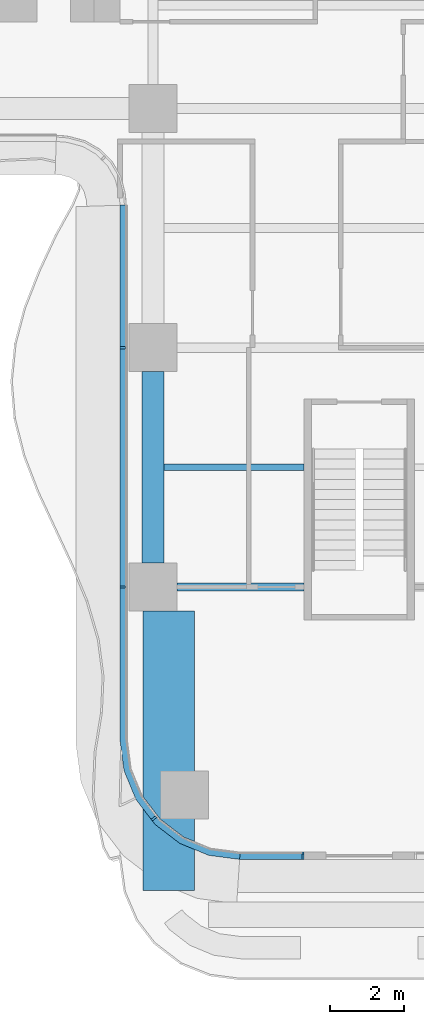
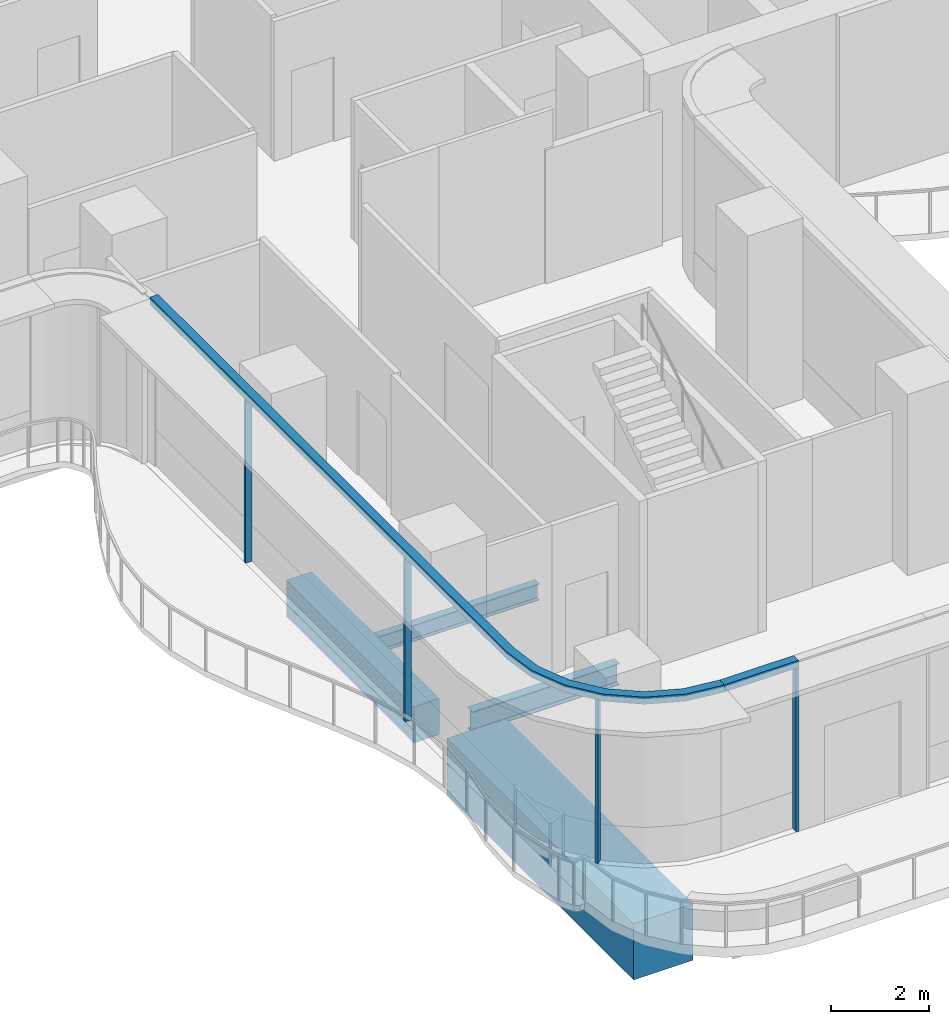
# One storey, part 2 of 22: 6 members, 4 beams, 2 elements without a shape of their own.
"""IFC4 building model written with IfcOpenShell, lengths in metres."""

from ifc_helpers import new_model, si_unit, direction, frame, origin, origin_2d, place, context, subcontext, project, spatial, polyline, rectangle, i_section, outline, extrude, source, transform, mapped, material, layer, layer_set, material_profile, profile_set, type_object, element, aggregate, save


model = new_model("IFC4")

# Units and contexts
model_context = context("Model", 3, precision=1e-05, world=origin(), true_north=direction((0.0, 1.0)))
body_context = subcontext(model_context, "Body", "Model", "MODEL_VIEW")
ifc_project = project(units=[si_unit("LENGTHUNIT", "METRE"), si_unit("AREAUNIT", "SQUARE_METRE"), si_unit("VOLUMEUNIT", "CUBIC_METRE"), si_unit("PLANEANGLEUNIT", "RADIAN"), si_unit("MASSUNIT", "GRAM", prefix="KILO")], contexts=[model_context])

# Site, building, storey
site_placement = place(None, origin())
site = spatial("IfcSite", under=ifc_project, at=site_placement, CompositionType="ELEMENT")
building_placement = place(site_placement, origin())
building = spatial("IfcBuilding", under=site, at=building_placement, Name="Trellis Farm Tower", CompositionType="ELEMENT")
storey_placement = place(building_placement, frame((0.0, 0.0, 124.5)))
storey = spatial("IfcBuildingStorey", under=building, at=storey_placement, Name="L26", CompositionType="ELEMENT", Elevation=124.5)

# Curtain wall, member
ifc_material_1 = material(Name="Aluminium and glass curtain wall", Category="aluminium")
ifc_layer_1 = layer(ifc_material_1, 0.18994140625)
ifc_layer_set_1 = layer_set([ifc_layer_1], Name="RIBBON CURTAIN WALL CW1")
curtain_wall_type = type_object("IfcCurtainWallType", Name="RIBBON CURTAIN WALL CW1", PredefinedType="NOTDEFINED", material=ifc_layer_set_1)
placement_1 = place(storey_placement, origin())
curtain_wall_1 = element("IfcCurtainWall", 1, at=placement_1, inside=storey, type_object=curtain_wall_type, Name="CW1 003", PredefinedType="NOTDEFINED")
ifc_material_2 = material(Name="Aluminium extrusion 6063-T6", Category="aluminium")
ifc_layer_2 = layer(ifc_material_2, 0.199951171875)
ifc_layer_set_2 = layer_set([ifc_layer_2], Name="Aluminium extrusion 6063-T6")
member_type_1 = type_object("IfcMemberType", Name="CW1 TRANSOM 200x180", PredefinedType="USERDEFINED", material=ifc_layer_set_2)
placement_2 = place(storey_placement, frame((0.0, 0.0, 4.070068359375)))
member_1 = element("IfcMember", 2, at=placement_2, type_object=member_type_1, Name="TR1 003", ObjectType="TRANSOM", PredefinedType="USERDEFINED", context=body_context, shape_type="SweptSolid", body=[
    extrude(outline(polyline([(-3.25, -26.0), (-1.5, -26.0), (-1.5, -25.800048828125), (-3.23681640625, -25.800048828125), (-3.25, -26.0)])), origin(), (0.0, 0.0, 1.0), 0.179931640625),
])

# Beams
ifc_material_3 = material(Name="Steel S355", Category="steel")
ifc_material_profile_1 = material_profile(ifc_material_3, i_section(OverallWidth=0.177978515625, OverallDepth=0.406494140625, WebThickness=0.0078125, FlangeThickness=0.0126953125, FilletRadius=0.01025390625, at=origin_2d()), Name="UB 406x178x60")
ifc_profile_set_1 = profile_set([ifc_material_profile_1], Name="Steel S355")
beam_type_1 = type_object("IfcBeamType", Name="UB 406x178x60 joist", PredefinedType="JOIST", material=ifc_profile_set_1)
shared_shape_1 = source(origin(), body_context, "Body", "SweptSolid", [
    extrude(i_section(OverallWidth=0.177978515625, OverallDepth=0.406494140625, WebThickness=0.0078125, FlangeThickness=0.0126953125, FilletRadius=0.01025390625, at=origin_2d()), origin(), (0.0, 0.0, 1.0), 3.800048828125),
])
beam_1_placement = place(storey_placement, frame((-5.300048828125, -15.35009765625, -0.453125), z_axis=(1.0, 0.0, 0.0), x_axis=(0.0, 1.0, 0.0)))
element("IfcBeam", 3, at=beam_1_placement, inside=storey, type_object=beam_type_1, Name="Floor beam", PredefinedType="JOIST", context=body_context, shape_type="MappedRepresentation", body=[
    mapped(shared_shape_1, transform((0.0, 0.0, 0.0))),
])
ifc_material_profile_2 = material_profile(ifc_material_3, i_section(OverallWidth=0.209228515625, OverallDepth=0.533203125, WebThickness=0.010009765625, FlangeThickness=0.015625, FilletRadius=0.0126953125, at=origin_2d()), Name="UB 533x210x92")
ifc_profile_set_2 = profile_set([ifc_material_profile_2], Name="Steel S355")
beam_type_2 = type_object("IfcBeamType", Name="UB 533x210x92", PredefinedType="BEAM", material=ifc_profile_set_2)
shared_shape_2 = source(origin(), body_context, "Body", "SweptSolid", [
    extrude(i_section(OverallWidth=0.209228515625, OverallDepth=0.533203125, WebThickness=0.010009765625, FlangeThickness=0.015625, FilletRadius=0.0126953125, at=origin_2d()), origin(), (0.0, 0.0, 1.0), 3.449951171875),
])
beam_2_placement = place(storey_placement, frame((-4.949951171875, -18.60009765625, -0.5166015625), z_axis=(1.0, 0.0, 0.0), x_axis=(0.0, 1.0, 0.0)))
element("IfcBeam", 4, at=beam_2_placement, inside=storey, type_object=beam_type_2, Name="Girder", PredefinedType="BEAM", context=body_context, shape_type="MappedRepresentation", body=[
    mapped(shared_shape_2, transform((0.0, 0.0, 0.0))),
])
ifc_material_4 = material(Name="Concrete C60/75", Category="concrete")
ifc_material_profile_3 = material_profile(ifc_material_4, rectangle(XDim=0.60009765625, YDim=0.89990234375, at=origin_2d()), Name="RC spandrel beam 600x900 C60/75")
ifc_profile_set_3 = profile_set([ifc_material_profile_3], Name="Concrete C60/75")
beam_type_3 = type_object("IfcBeamType", Name="RC spandrel beam 600x900 C60/75", PredefinedType="SPANDREL", material=ifc_profile_set_3)
shared_shape_3 = source(origin(), body_context, "Body", "SweptSolid", [
    extrude(rectangle(XDim=0.60009765625, YDim=0.89990234375, at=origin_2d()), origin(), (0.0, 0.0, 1.0), 5.199951171875),
])
beam_3_placement = place(storey_placement, frame((-5.60009765625, -17.949951171875, -0.699951171875), z_axis=(0.0, 1.0, 0.0), x_axis=(-1.0, 0.0, 0.0)))
element("IfcBeam", 5, at=beam_3_placement, inside=storey, type_object=beam_type_3, Name="Girder", PredefinedType="SPANDREL", context=body_context, shape_type="MappedRepresentation", body=[
    mapped(shared_shape_3, transform((0.0, 0.0, 0.0))),
])
ifc_material_5 = material(Name="Concrete C80/95", Category="concrete")
ifc_material_profile_4 = material_profile(ifc_material_5, rectangle(XDim=1.39990234375, YDim=1.39990234375, at=origin_2d()), Name="RC transfer beam 1400x1400 C80/95")
ifc_profile_set_4 = profile_set([ifc_material_profile_4], Name="Concrete C80/95")
beam_type_4 = type_object("IfcBeamType", Name="RC transfer beam 1400x1400 C80/95", PredefinedType="BEAM", material=ifc_profile_set_4)
shared_shape_4 = source(origin(), body_context, "Body", "SweptSolid", [
    extrude(rectangle(XDim=1.39990234375, YDim=1.39990234375, at=origin_2d()), origin(), (0.0, 0.0, 1.0), 7.60009765625),
])
beam_4_placement = place(storey_placement, frame((-5.175048828125, -26.85009765625, -0.949951171875), z_axis=(0.0, 1.0, 0.0), x_axis=(-1.0, 0.0, 0.0)))
element("IfcBeam", 6, at=beam_4_placement, inside=storey, type_object=beam_type_4, Name="Transfer girder", PredefinedType="BEAM", context=body_context, shape_type="MappedRepresentation", body=[
    mapped(shared_shape_4, transform((0.0, 0.0, 0.0))),
])

# Curtain wall, members
curtain_wall_2 = element("IfcCurtainWall", 7, at=placement_1, inside=storey, type_object=curtain_wall_type, Name="CW1 002", PredefinedType="NOTDEFINED")
ifc_material_profile_5 = material_profile(ifc_material_2, rectangle(XDim=0.06005859375, YDim=0.14990234375, at=origin_2d()), Name="MULLION 60x150")
ifc_profile_set_5 = profile_set([ifc_material_profile_5], Name="Aluminium extrusion 6063-T6")
member_type_2 = type_object("IfcMemberType", Name="CW1 MULLION 60x150", PredefinedType="MULLION", material=ifc_profile_set_5)
shared_shape_5 = source(origin(), body_context, "Body", "SweptSolid", [
    extrude(rectangle(XDim=0.06005859375, YDim=0.14990234375, at=origin_2d()), origin(), (0.0, 0.0, 1.0), 4.070068359375),
])
member_2_placement = place(storey_placement, frame((-6.425048828125, -12.10009765625, 0.0), z_axis=(0.0, 0.0, 1.0), x_axis=(0.0, -1.0, 0.0)))
member_2 = element("IfcMember", 8, at=member_2_placement, type_object=member_type_2, Name="MU1 002-01", PredefinedType="MULLION", context=body_context, shape_type="MappedRepresentation", body=[
    mapped(shared_shape_5, transform((0.0, 0.0, 0.0))),
])
member_3_placement = place(storey_placement, frame((-6.425048828125, -18.60009765625, 0.0), z_axis=(0.0, 0.0, 1.0), x_axis=(0.0, -1.0, 0.0)))
member_3 = element("IfcMember", 9, at=member_3_placement, type_object=member_type_2, Name="MU1 002-02", PredefinedType="MULLION", context=body_context, shape_type="MappedRepresentation", body=[
    mapped(shared_shape_5, transform((0.0, 0.0, 0.0))),
])
member_4_placement = place(storey_placement, frame((-5.578369140625, -24.885498046875, 0.0), z_axis=(0.0, 0.0, 1.0), x_axis=(0.608761429009, -0.793353340291, 0.0)))
member_4 = element("IfcMember", 10, at=member_4_placement, type_object=member_type_2, Name="MU1 002-03", PredefinedType="MULLION", context=body_context, shape_type="MappedRepresentation", body=[
    mapped(shared_shape_5, transform((0.0, 0.0, 0.0))),
])

# Member
member_5_placement = place(storey_placement, frame((-1.530029296875, -25.925048828125, 0.0), z_axis=(0.0, 0.0, 1.0), x_axis=(1.0, 0.0, 0.0)))
member_5 = element("IfcMember", 11, at=member_5_placement, type_object=member_type_2, Name="MU1 003-01", PredefinedType="MULLION", context=body_context, shape_type="MappedRepresentation", body=[
    mapped(shared_shape_5, transform((0.0, 0.0, 0.0))),
])

aggregate(curtain_wall_1, [member_5, member_1])

shared_shape_6 = source(origin(), body_context, "Body", "SweptSolid", [
    extrude(outline(polyline([(-6.5, -8.2314453125), (-6.5, -22.75), (-6.38916015625, -23.591064453125), (-6.064697265625, -24.375), (-5.548095703125, -25.048095703125), (-4.875, -25.564697265625), (-4.091064453125, -25.88916015625), (-3.25, -26.0), (-3.23681640625, -25.800048828125), (-4.0390625, -25.6943359375), (-4.774169921875, -25.389892578125), (-5.405517578125, -24.905517578125), (-5.889892578125, -24.274169921875), (-6.1943359375, -23.5390625), (-6.300048828125, -22.73681640625), (-6.300048828125, -8.224853515625), (-6.5, -8.2314453125)])), origin(), (0.0, 0.0, 1.0), 0.179931640625),
])
member_6 = element("IfcMember", 12, at=placement_2, type_object=member_type_1, Name="TR1 002", ObjectType="TRANSOM", PredefinedType="USERDEFINED", context=body_context, shape_type="MappedRepresentation", body=[
    mapped(shared_shape_6, transform((0.0, 0.0, 0.0))),
])

aggregate(curtain_wall_2, [member_2, member_3, member_4, member_6])

save(model, "model.ifc")
